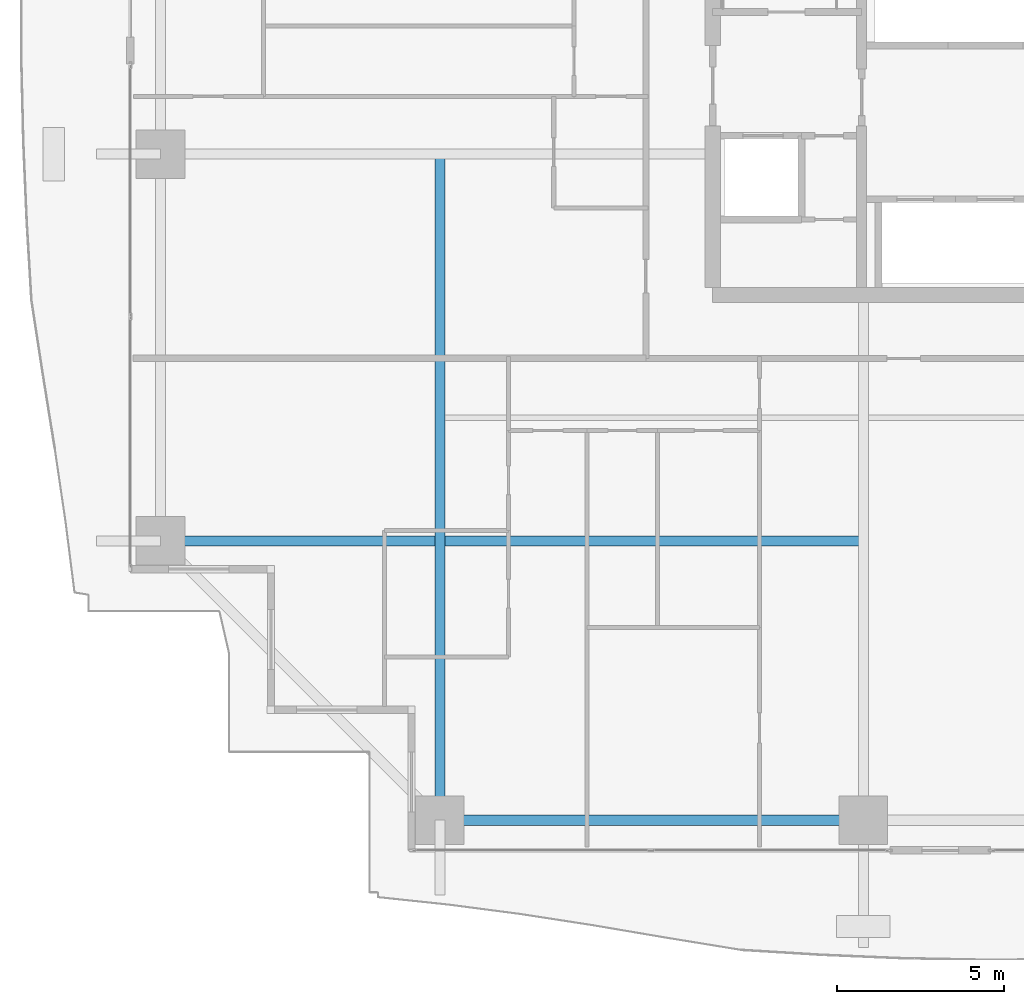
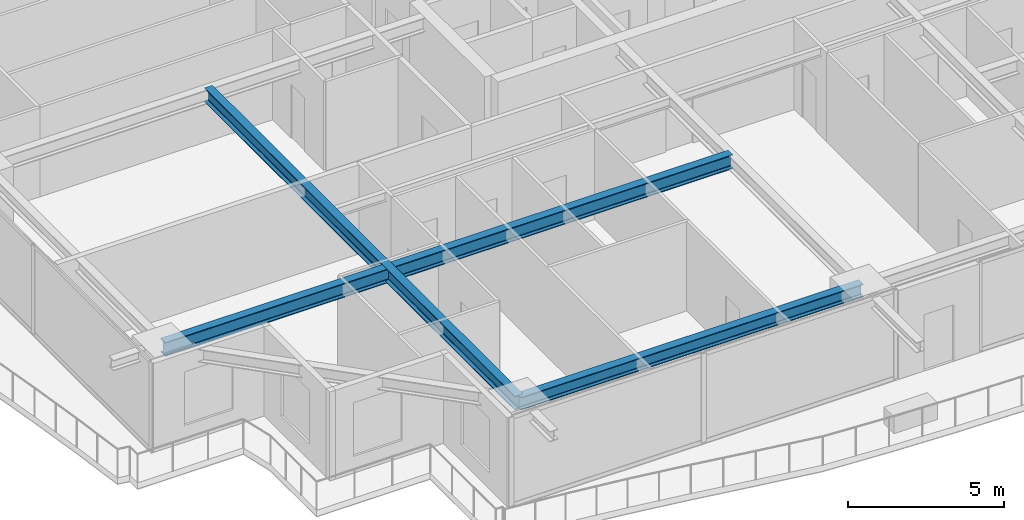
# One storey, part 4 of 41: 3 beams.
"""IFC4 building model written with IfcOpenShell, lengths in metres."""

from ifc_helpers import new_model, si_unit, direction, frame, origin, origin_2d, place, context, subcontext, project, spatial, i_section, extrude, source, transform, mapped, material, material_profile, profile_set, type_object, element, save


model = new_model("IFC4")

# Units and contexts
model_context = context("Model", 3, precision=1e-05, world=origin(), true_north=direction((0.0, 1.0)))
body_context = subcontext(model_context, "Body", "Model", "MODEL_VIEW")
ifc_project = project(units=[si_unit("LENGTHUNIT", "METRE"), si_unit("AREAUNIT", "SQUARE_METRE"), si_unit("VOLUMEUNIT", "CUBIC_METRE"), si_unit("PLANEANGLEUNIT", "RADIAN"), si_unit("MASSUNIT", "GRAM", prefix="KILO")], contexts=[model_context])

# Site, building, storey
site_placement = place(None, origin())
site = spatial("IfcSite", under=ifc_project, at=site_placement, CompositionType="ELEMENT")
building_placement = place(site_placement, origin())
building = spatial("IfcBuilding", under=site, at=building_placement, Name="Serunith Strait Residences", CompositionType="ELEMENT")
storey_placement = place(building_placement, frame((0.0, 0.0, 75.449951171875)))
storey = spatial("IfcBuildingStorey", under=building, at=storey_placement, Name="L18", CompositionType="ELEMENT", Elevation=75.449951171875)

# Beams
ifc_material = material(Name="Steel S355J2", Category="steel")
ifc_material_profile_1 = material_profile(ifc_material, i_section(OverallWidth=0.300048828125, OverallDepth=0.550048828125, WebThickness=0.014892578125, FlangeThickness=0.029052734375, FilletRadius=0.027099609375, at=origin_2d()), Name="HEB 550")
ifc_profile_set_1 = profile_set([ifc_material_profile_1], Name="Steel S355J2")
beam_type_1 = type_object("IfcBeamType", Name="BM-HEB550", PredefinedType="BEAM", material=ifc_profile_set_1)
shared_shape_1 = source(origin(), body_context, "Body", "SweptSolid", [
    extrude(i_section(OverallWidth=0.300048828125, OverallDepth=0.550048828125, WebThickness=0.014892578125, FlangeThickness=0.029052734375, FilletRadius=0.027099609375, at=origin_2d()), origin(), (0.0, 0.0, 1.0), 19.89990234375),
])
beam_1_placement = place(storey_placement, frame((15.25, 21.0, 3.212158203125), z_axis=(0.0, -1.0, 0.0), x_axis=(1.0, 0.0, 0.0)))
element("IfcBeam", 1, at=beam_1_placement, inside=storey, type_object=beam_type_1, Name="L18 Orthogonal Corner Girder TC-S1", PredefinedType="BEAM", context=body_context, shape_type="MappedRepresentation", body=[
    mapped(shared_shape_1, transform((0.0, 0.0, 0.0), scale=1.0)),
])
shared_shape_2 = source(origin(), body_context, "Body", "SweptSolid", [
    extrude(i_section(OverallWidth=0.300048828125, OverallDepth=0.550048828125, WebThickness=0.014892578125, FlangeThickness=0.029052734375, FilletRadius=0.027099609375, at=origin_2d()), origin(), (0.0, 0.0, 1.0), 21.0),
])
beam_2_placement = place(storey_placement, frame((27.89990234375, 9.449951171875, 3.212158203125), z_axis=(-1.0, 0.0, 0.0), x_axis=(0.0, -1.0, 0.0)))
element("IfcBeam", 2, at=beam_2_placement, inside=storey, type_object=beam_type_1, Name="L18 Orthogonal Corner Girder TC-W1", PredefinedType="BEAM", context=body_context, shape_type="MappedRepresentation", body=[
    mapped(shared_shape_2, transform((0.0, 0.0, 0.0), scale=1.0)),
])
ifc_material_profile_2 = material_profile(ifc_material, i_section(OverallWidth=0.300048828125, OverallDepth=0.5, WebThickness=0.014404296875, FlangeThickness=0.028076171875, FilletRadius=0.027099609375, at=origin_2d()), Name="HEB 500")
ifc_profile_set_2 = profile_set([ifc_material_profile_2], Name="Steel S355J2")
beam_type_2 = type_object("IfcBeamType", Name="BM-HEB500", PredefinedType="BEAM", material=ifc_profile_set_2)
shared_shape_3 = source(origin(), body_context, "Body", "SweptSolid", [
    extrude(i_section(OverallWidth=0.300048828125, OverallDepth=0.5, WebThickness=0.014404296875, FlangeThickness=0.028076171875, FilletRadius=0.027099609375, at=origin_2d()), origin(), (0.0, 0.0, 1.0), 12.64990234375),
])
beam_3_placement = place(storey_placement, frame((15.25, 1.10009765625, 3.237060546875), z_axis=(1.0, 0.0, 0.0), x_axis=(0.0, 1.0, 0.0)))
element("IfcBeam", 3, at=beam_3_placement, inside=storey, type_object=beam_type_2, Name="L18 Perimeter Ring Beam 01", PredefinedType="BEAM", context=body_context, shape_type="MappedRepresentation", body=[
    mapped(shared_shape_3, transform((0.0, 0.0, 0.0), scale=1.0)),
])

save(model, "model.ifc")
